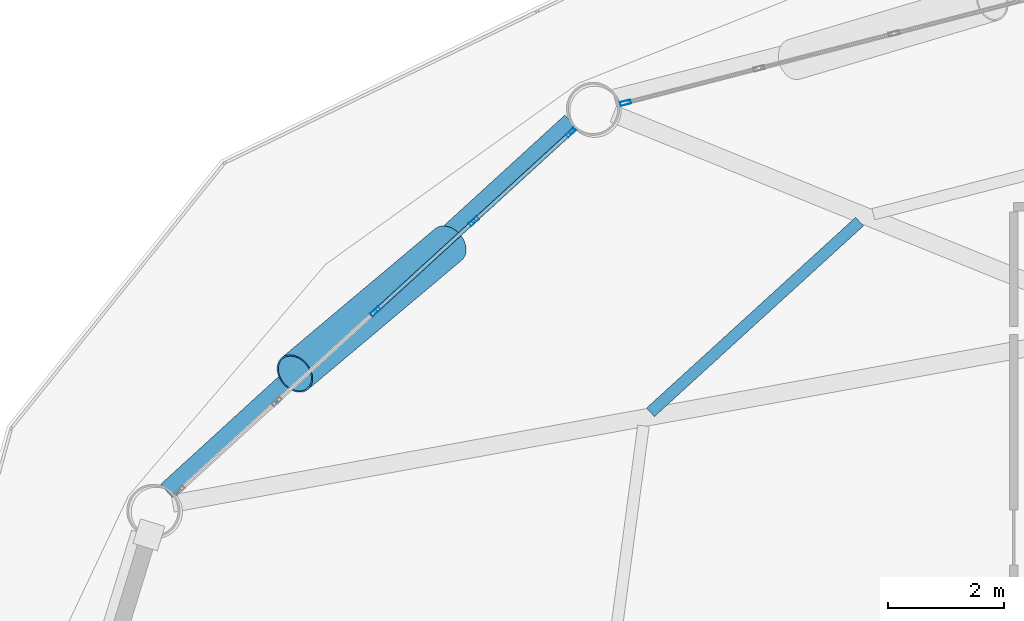
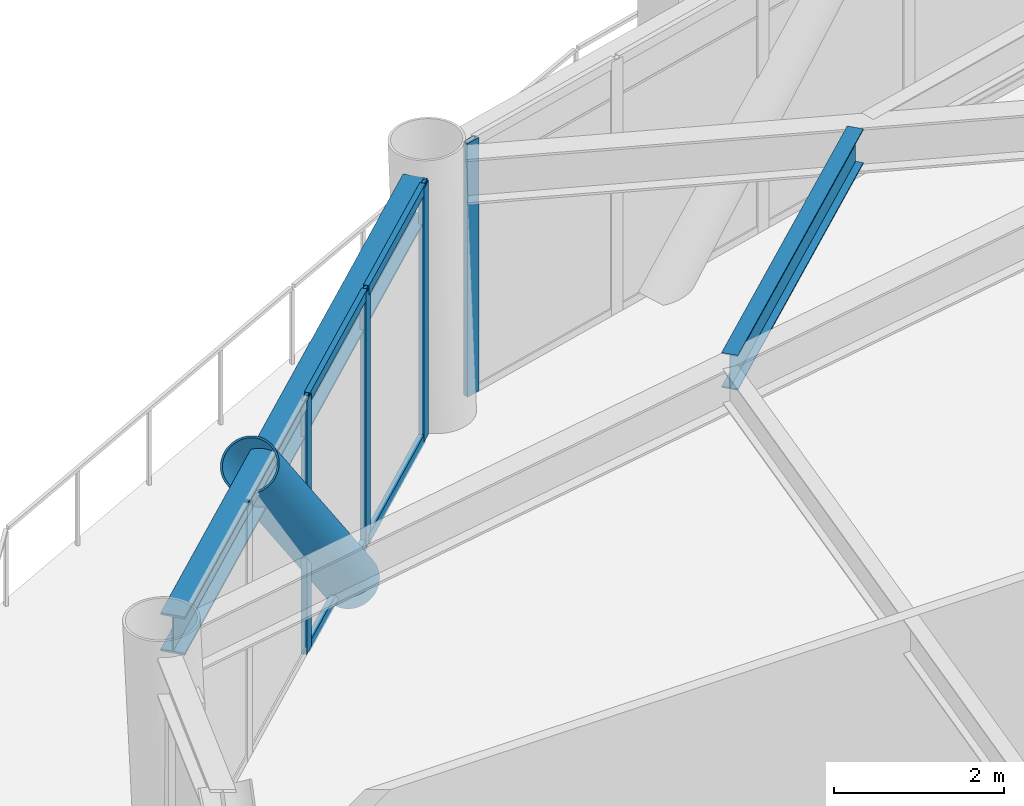
# One storey, part 16 of 24: 9 members, 2 beams, 2 elements without a shape of their own.
"""IFC4 building model written with IfcOpenShell, lengths in metres."""

from ifc_helpers import new_model, si_unit, direction, frame, origin, origin_2d, place, context, subcontext, project, spatial, hollow_rectangle, hollow_circle, i_section, extrude, material, layer, layer_set, material_profile, profile_set, type_object, element, aggregate, save


model = new_model("IFC4")

# Units and contexts
model_context = context("Model", 3, precision=1e-05, world=origin(), true_north=direction((0.0, 1.0)))
body_context = subcontext(model_context, "Body", "Model", "MODEL_VIEW")
ifc_project = project(units=[si_unit("LENGTHUNIT", "METRE"), si_unit("AREAUNIT", "SQUARE_METRE"), si_unit("VOLUMEUNIT", "CUBIC_METRE"), si_unit("PLANEANGLEUNIT", "RADIAN"), si_unit("MASSUNIT", "GRAM", prefix="KILO")], contexts=[model_context])

# Site, building, storey
site_placement = place(None, origin())
site = spatial("IfcSite", under=ifc_project, at=site_placement, CompositionType="ELEMENT")
building_placement = place(site_placement, origin())
building = spatial("IfcBuilding", under=site, at=building_placement, Name="Varnakorn Sky Granary", CompositionType="ELEMENT")
storey_placement = place(building_placement, frame((0.0, 0.0, 43.199951171875)))
storey = spatial("IfcBuildingStorey", under=building, at=storey_placement, Name="L10", CompositionType="ELEMENT", Elevation=43.199951171875)

# Beams
ifc_material_1 = material(Name="Steel S355JR", Category="steel")
ifc_material_profile_1 = material_profile(ifc_material_1, i_section(OverallWidth=0.199951171875, OverallDepth=0.5, WebThickness=0.01025390625, FlangeThickness=0.01611328125, at=origin_2d()), Name="IPE 500")
ifc_profile_set_1 = profile_set([ifc_material_profile_1], Name="Steel S355JR")
beam_type_1 = type_object("IfcBeamType", Name="BM-SEC-Z1", PredefinedType="BEAM", material=ifc_profile_set_1)
beam_1_placement = place(storey_placement, frame((-7.257080078125, 14.4453125, 3.39013671875), z_axis=(-0.738812829411, -0.673910678871, 0.0), x_axis=(0.673910678871, -0.738812829411, 0.0)))
element("IfcBeam", 1, at=beam_1_placement, inside=storey, type_object=beam_type_1, Name="Secondary Floor Chord Beam MSB05 L10", PredefinedType="BEAM", context=body_context, shape_type="SweptSolid", body=[
    extrude(i_section(OverallWidth=0.199951171875, OverallDepth=0.5, WebThickness=0.01025390625, FlangeThickness=0.01611328125, at=origin_2d()), origin(), (0.0, 0.0, 1.0), 4.875244140625),
])
ifc_material_profile_2 = material_profile(ifc_material_1, i_section(OverallWidth=0.300048828125, OverallDepth=0.550048828125, WebThickness=0.014892578125, FlangeThickness=0.029052734375, at=origin_2d()), Name="HE 550 B")
ifc_profile_set_2 = profile_set([ifc_material_profile_2], Name="Steel S355JR")
beam_type_2 = type_object("IfcBeamType", Name="BM-SPD-Z1", PredefinedType="SPANDREL", material=ifc_profile_set_2)
beam_2_placement = place(storey_placement, frame((-12.23388671875, 16.16943359375, 3.364990234375), z_axis=(-0.738303405407, -0.674468740243, 0.0), x_axis=(0.674468740243, -0.738303405407, 0.0)))
element("IfcBeam", 2, at=beam_2_placement, inside=storey, type_object=beam_type_2, Name="Perimeter Spandrel Ring Beam RB05 L10", PredefinedType="SPANDREL", context=body_context, shape_type="SweptSolid", body=[
    extrude(i_section(OverallWidth=0.300048828125, OverallDepth=0.550048828125, WebThickness=0.014892578125, FlangeThickness=0.029052734375, at=origin_2d()), origin(), (0.0, 0.0, 1.0), 9.435302734375),
])

# Curtain wall, member
ifc_material_2 = material(Name="Anodised Bronze Aluminium Alloy 6063-T6", Category="aluminium")
ifc_layer = layer(ifc_material_2, 0.18994140625, Name="Anodised Bronze Aluminium Alloy 6063-T6")
ifc_layer_set = layer_set([ifc_layer], Name="Anodised Bronze Aluminium Alloy 6063-T6")
curtain_wall_type = type_object("IfcCurtainWallType", Name="CW-FRM-1", PredefinedType="USERDEFINED", material=ifc_layer_set)
curtain_wall_1_placement = place(storey_placement, origin())
curtain_wall_1 = element("IfcCurtainWall", 3, at=curtain_wall_1_placement, inside=storey, type_object=curtain_wall_type, Name="Unitised Curtain Wall CW3 CW-L10-B04", ObjectType="CURTAIN WALL", PredefinedType="USERDEFINED")
ifc_material_profile_3 = material_profile(ifc_material_2, hollow_rectangle(XDim=0.070068359375, YDim=0.18505859375, WallThickness=0.00390625, at=origin_2d()), Name="ALU MULL 70x185")
ifc_profile_set_3 = profile_set([ifc_material_profile_3], Name="Anodised Bronze Aluminium Alloy 6063-T6")
member_type_1 = type_object("IfcMemberType", Name="CW-FRM-1-MULL", PredefinedType="MULLION", material=ifc_profile_set_3)
member_1_placement = place(storey_placement, frame((-11.2890625, 16.491943359375, 0.0), z_axis=(0.0, 0.0, 1.0), x_axis=(-0.249960319337, 0.968256081188, 0.0)))
member_1 = element("IfcMember", 4, at=member_1_placement, type_object=member_type_1, Name="CW3 mullion 1", PredefinedType="MULLION", context=body_context, shape_type="SweptSolid", body=[
    extrude(hollow_rectangle(XDim=0.070068359375, YDim=0.18505859375, WallThickness=0.00390625, at=origin_2d()), origin(), (0.0, 0.0, 1.0), 3.64013671875),
])
aggregate(curtain_wall_1, [member_1])

# Curtain wall, members
curtain_wall_2_placement = place(storey_placement, origin())
curtain_wall_2 = element("IfcCurtainWall", 5, at=curtain_wall_2_placement, inside=storey, type_object=curtain_wall_type, Name="Unitised Curtain Wall CW3 CW-L10-B05", ObjectType="CURTAIN WALL", PredefinedType="USERDEFINED")
member_2_placement = place(storey_placement, frame((-15.60205078125, 12.89794921875, 0.0), z_axis=(0.0, 0.0, 1.0), x_axis=(-0.674903389306, 0.737906101821, 0.0)))
member_2 = element("IfcMember", 6, at=member_2_placement, type_object=member_type_1, Name="CW3 mullion 3", PredefinedType="MULLION", context=body_context, shape_type="SweptSolid", body=[
    extrude(hollow_rectangle(XDim=0.070068359375, YDim=0.18505859375, WallThickness=0.00390625, at=origin_2d()), origin(), (0.0, 0.0, 1.0), 3.64013671875),
])
member_3_placement = place(storey_placement, frame((-13.903564453125, 14.45166015625, 0.0), z_axis=(0.0, 0.0, 1.0), x_axis=(-0.674903389306, 0.737906101821, 0.0)))
member_3 = element("IfcMember", 7, at=member_3_placement, type_object=member_type_1, Name="CW3 mullion 4", PredefinedType="MULLION", context=body_context, shape_type="SweptSolid", body=[
    extrude(hollow_rectangle(XDim=0.070068359375, YDim=0.18505859375, WallThickness=0.00390625, at=origin_2d()), origin(), (0.0, 0.0, 1.0), 3.64013671875),
])
member_4_placement = place(storey_placement, frame((-12.230712890625, 15.9814453125, 0.0), z_axis=(0.0, 0.0, 1.0), x_axis=(-0.674903389306, 0.737906101821, 0.0)))
member_4 = element("IfcMember", 8, at=member_4_placement, type_object=member_type_1, Name="CW3 mullion 5", PredefinedType="MULLION", context=body_context, shape_type="SweptSolid", body=[
    extrude(hollow_rectangle(XDim=0.070068359375, YDim=0.18505859375, WallThickness=0.00390625, at=origin_2d()), origin(), (0.0, 0.0, 1.0), 3.64013671875),
])
ifc_material_profile_4 = material_profile(ifc_material_2, hollow_rectangle(XDim=0.070068359375, YDim=0.139892578125, WallThickness=0.00341796875, at=origin_2d()), Name="ALU TRAN 70x140")
ifc_profile_set_4 = profile_set([ifc_material_profile_4], Name="Anodised Bronze Aluminium Alloy 6063-T6")
member_type_2 = type_object("IfcMemberType", Name="CW-FRM-1-TRAN", PredefinedType="USERDEFINED", material=ifc_profile_set_4)
member_5_placement = place(storey_placement, frame((-15.576416015625, 12.921630859375, 0.03515625), z_axis=(0.737907402303, 0.674901967419, 0.0), x_axis=(-0.674901967419, 0.737907402303, 0.0)))
member_5 = element("IfcMember", 9, at=member_5_placement, type_object=member_type_2, Name="CW3 transom 3.1", ObjectType="TRANSOM", PredefinedType="USERDEFINED", context=body_context, shape_type="SweptSolid", body=[
    extrude(hollow_rectangle(XDim=0.070068359375, YDim=0.139892578125, WallThickness=0.00341796875, at=origin_2d()), origin(), (0.0, 0.0, 1.0), 2.23193359375),
])
member_6_placement = place(storey_placement, frame((-15.576416015625, 12.921630859375, 3.60498046875), z_axis=(0.737907402303, 0.674901967419, 0.0), x_axis=(-0.674901967419, 0.737907402303, 0.0)))
member_6 = element("IfcMember", 10, at=member_6_placement, type_object=member_type_2, Name="CW3 transom 3.2", ObjectType="TRANSOM", PredefinedType="USERDEFINED", context=body_context, shape_type="SweptSolid", body=[
    extrude(hollow_rectangle(XDim=0.070068359375, YDim=0.139892578125, WallThickness=0.00341796875, at=origin_2d()), origin(), (0.0, 0.0, 1.0), 2.23193359375),
])
member_7_placement = place(storey_placement, frame((-13.877685546875, 14.47509765625, 0.03515625), z_axis=(0.737910208104, 0.674898899671, 0.0), x_axis=(-0.674898899671, 0.737910208104, 0.0)))
member_7 = element("IfcMember", 11, at=member_7_placement, type_object=member_type_2, Name="CW3 transom 4.1", ObjectType="TRANSOM", PredefinedType="USERDEFINED", context=body_context, shape_type="SweptSolid", body=[
    extrude(hollow_rectangle(XDim=0.070068359375, YDim=0.139892578125, WallThickness=0.00341796875, at=origin_2d()), origin(), (0.0, 0.0, 1.0), 2.19677734375),
])
member_8_placement = place(storey_placement, frame((-13.877685546875, 14.47509765625, 3.60498046875), z_axis=(0.737910208104, 0.674898899671, 0.0), x_axis=(-0.674898899671, 0.737910208104, 0.0)))
member_8 = element("IfcMember", 12, at=member_8_placement, type_object=member_type_2, Name="CW3 transom 4.2", ObjectType="TRANSOM", PredefinedType="USERDEFINED", context=body_context, shape_type="SweptSolid", body=[
    extrude(hollow_rectangle(XDim=0.070068359375, YDim=0.139892578125, WallThickness=0.00341796875, at=origin_2d()), origin(), (0.0, 0.0, 1.0), 2.19677734375),
])
aggregate(curtain_wall_2, [member_2, member_3, member_4, member_5, member_6, member_7, member_8])

# Member
ifc_material_3 = material(Name="Steel S460M", Category="steel")
ifc_material_profile_5 = material_profile(ifc_material_3, hollow_circle(Radius=0.35546875, WallThickness=0.02490234375, at=origin_2d()), Name="CHS 711x25")
ifc_profile_set_5 = profile_set([ifc_material_profile_5], Name="Steel S460M")
member_type_3 = type_object("IfcMemberType", Name="MB-DIAG-T0", PredefinedType="BRACE", material=ifc_profile_set_5)
member_9_placement = place(storey_placement, frame((-14.342529296875, 14.050048828125, -0.1298828125), z_axis=(-0.506105740274, -0.425407317833, 0.750257018358), x_axis=(0.643439022977, -0.765497370152, 0.0)))
element("IfcMember", 13, at=member_9_placement, inside=storey, type_object=member_type_3, Name="Perimeter CHS Diagrid Brace DG05 L10", PredefinedType="BRACE", context=body_context, shape_type="SweptSolid", body=[
    extrude(hollow_circle(Radius=0.35546875, WallThickness=0.02490234375, at=origin_2d()), origin(), (0.0, 0.0, 1.0), 5.224853515625),
])

save(model, "model.ifc")
